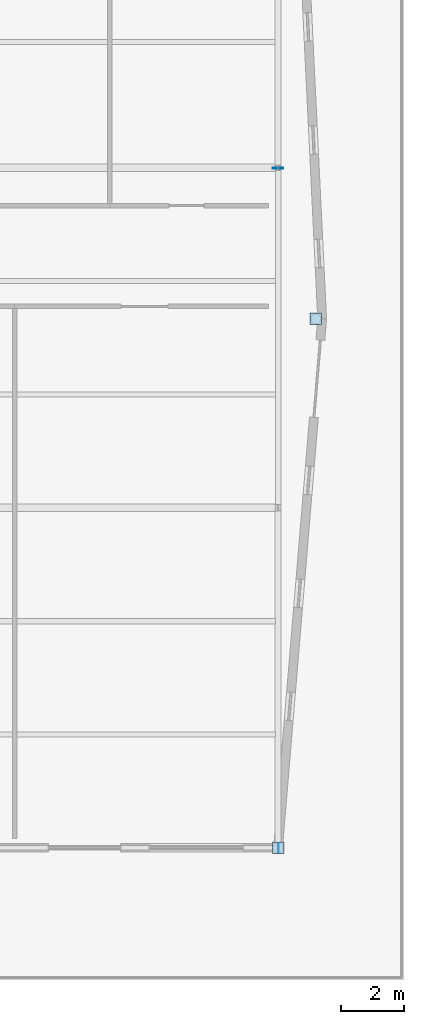
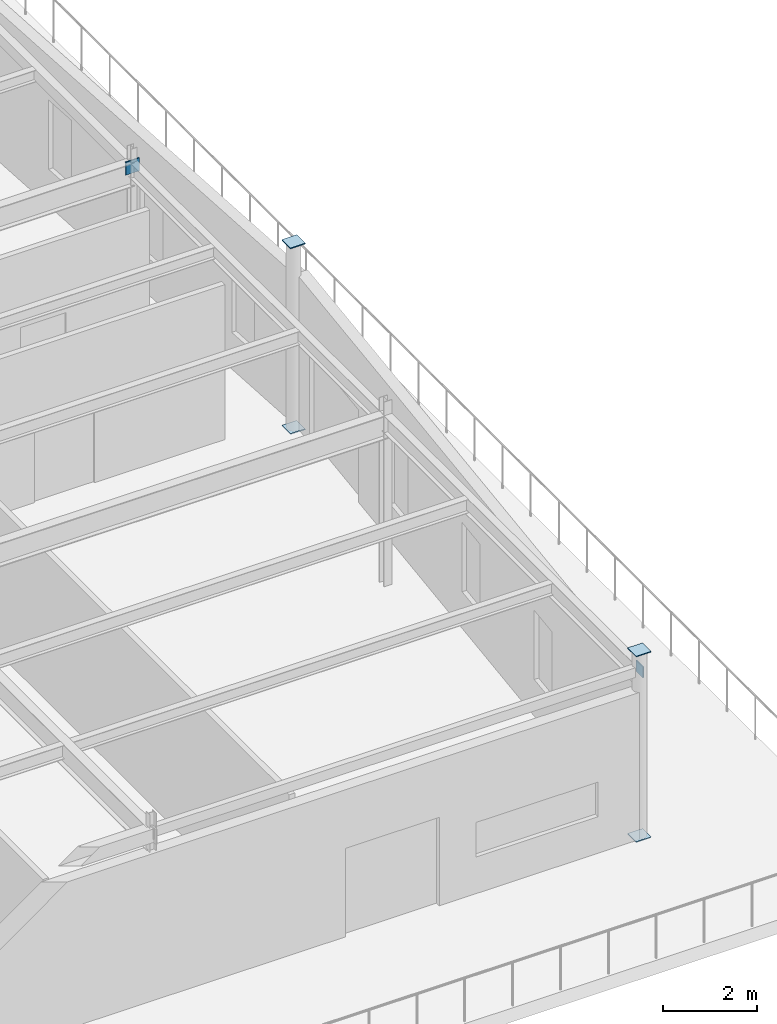
# One storey, part 148 of 199: 6 plates.
"""IFC4 building model written with IfcOpenShell, lengths in metres."""

from ifc_helpers import new_model, si_unit, direction, frame, origin, origin_2d, place, context, subcontext, project, spatial, rectangle, extrude, material, layer, layer_set, type_object, element, save


model = new_model("IFC4")

# Units and contexts
model_context = context("Model", 3, precision=1e-05, world=origin(), true_north=direction((0.0, 1.0)))
body_context = subcontext(model_context, "Body", "Model", "MODEL_VIEW")
ifc_project = project(units=[si_unit("LENGTHUNIT", "METRE"), si_unit("AREAUNIT", "SQUARE_METRE"), si_unit("VOLUMEUNIT", "CUBIC_METRE"), si_unit("PLANEANGLEUNIT", "RADIAN"), si_unit("MASSUNIT", "GRAM", prefix="KILO")], contexts=[model_context])

# Site, building, storey
site_placement = place(None, origin())
site = spatial("IfcSite", under=ifc_project, at=site_placement, CompositionType="ELEMENT")
building_placement = place(site_placement, origin())
building = spatial("IfcBuilding", under=site, at=building_placement, Name="Tarnwether General Hospital", CompositionType="ELEMENT")
storey_placement = place(building_placement, origin())
storey = spatial("IfcBuildingStorey", under=building, at=storey_placement, Name="L00", CompositionType="ELEMENT", Elevation=0.0)

# Plates
ifc_material = material(Name="Steel Grade 350 (350 MPa)", Category="steel")
ifc_layer = layer(ifc_material, 0.02490234375)
ifc_layer_set = layer_set([ifc_layer], Name="Steel Grade 350 (350 MPa)")
plate_type = type_object("IfcPlateType", Name="PT-GUS2", PredefinedType="USERDEFINED", material=ifc_layer_set)
for number, where, z_axis, x_axis, name in (
    (1, (192.0, 0.0, -0.02490234375), (0.0, 0.0, 1.0), (1.0, 0.0, 0.0), "Hollow Section Welded End Cap Plate 0397"),
    (2, (192.0, 0.0, 4.800048828125), (0.0, 0.0, 1.0), (1.0, 0.0, 0.0), "Hollow Section Welded End Cap Plate 0398"),
    (3, (193.199951171875, 16.800048828125, -0.02490234375), (0.0, 0.0, 1.0), (1.0, 0.0, 0.0), "Hollow Section Welded End Cap Plate 0781"),
    (4, (193.199951171875, 16.800048828125, 4.800048828125), (0.0, 0.0, 1.0), (1.0, 0.0, 0.0), "Hollow Section Welded End Cap Plate 0782"),
):
    element("IfcPlate", number, at=place(storey_placement, frame(where, z_axis=z_axis, x_axis=x_axis)), inside=storey, type_object=plate_type, Name=name, ObjectType="GUSSET", PredefinedType="USERDEFINED", context=body_context, shape_type="SweptSolid", body=[
        extrude(rectangle(XDim=0.364013671875, YDim=0.364013671875, at=origin_2d()), origin(), (0.0, 0.0, 1.0), 0.02490234375),
    ])
plate_1_placement = place(storey_placement, frame((192.012451171875, 0.0, 4.175048828125), z_axis=(0.0, 0.0, 1.0), x_axis=(1.0, 0.0, 0.0)))
element("IfcPlate", 5, at=plate_1_placement, inside=storey, type_object=plate_type, Name="Hollow Section Welded End Cap Plate 0896", ObjectType="GUSSET", PredefinedType="USERDEFINED", context=body_context, shape_type="SweptSolid", body=[
    extrude(rectangle(XDim=0.02490234375, YDim=0.2900390625, at=origin_2d()), origin(), (0.0, 0.0, 1.0), 0.2900390625),
])
plate_2_placement = place(storey_placement, frame((192.0, 21.58740234375, 4.125), z_axis=(0.0, 0.0, 1.0), x_axis=(0.0, 1.0, 0.0)))
element("IfcPlate", 6, at=plate_2_placement, inside=storey, type_object=plate_type, Name="Hollow Section Welded End Cap Plate 0899", ObjectType="GUSSET", PredefinedType="USERDEFINED", context=body_context, shape_type="SweptSolid", body=[
    extrude(rectangle(XDim=0.02490234375, YDim=0.340087890625, at=origin_2d()), origin(), (0.0, 0.0, 1.0), 0.340087890625),
])

save(model, "model.ifc")
